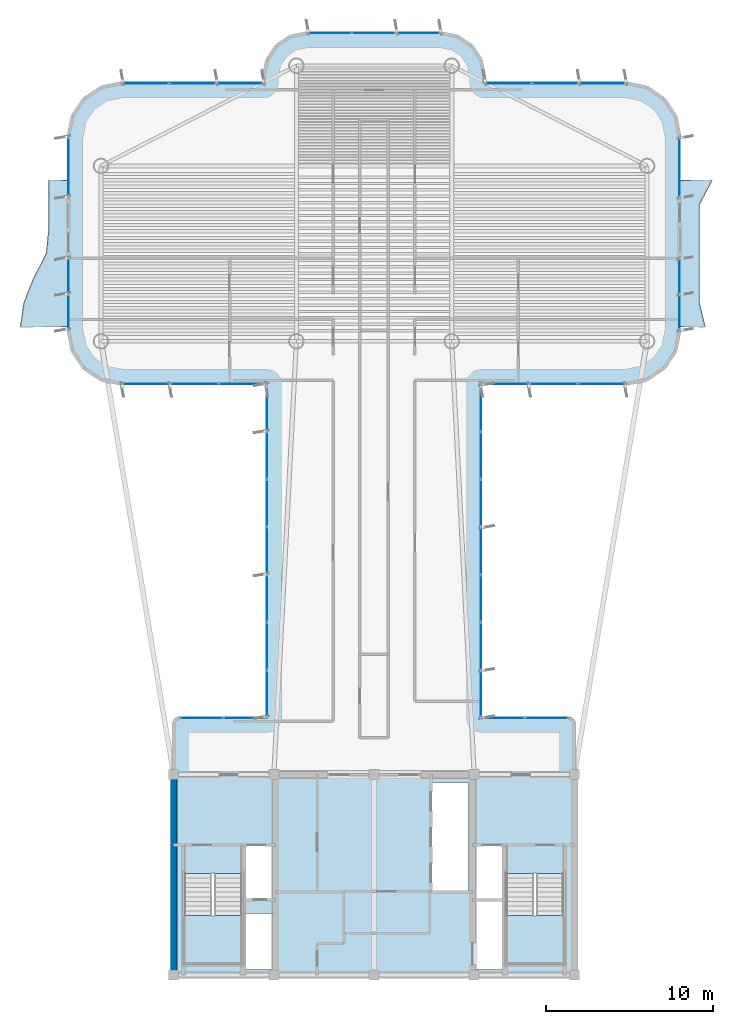
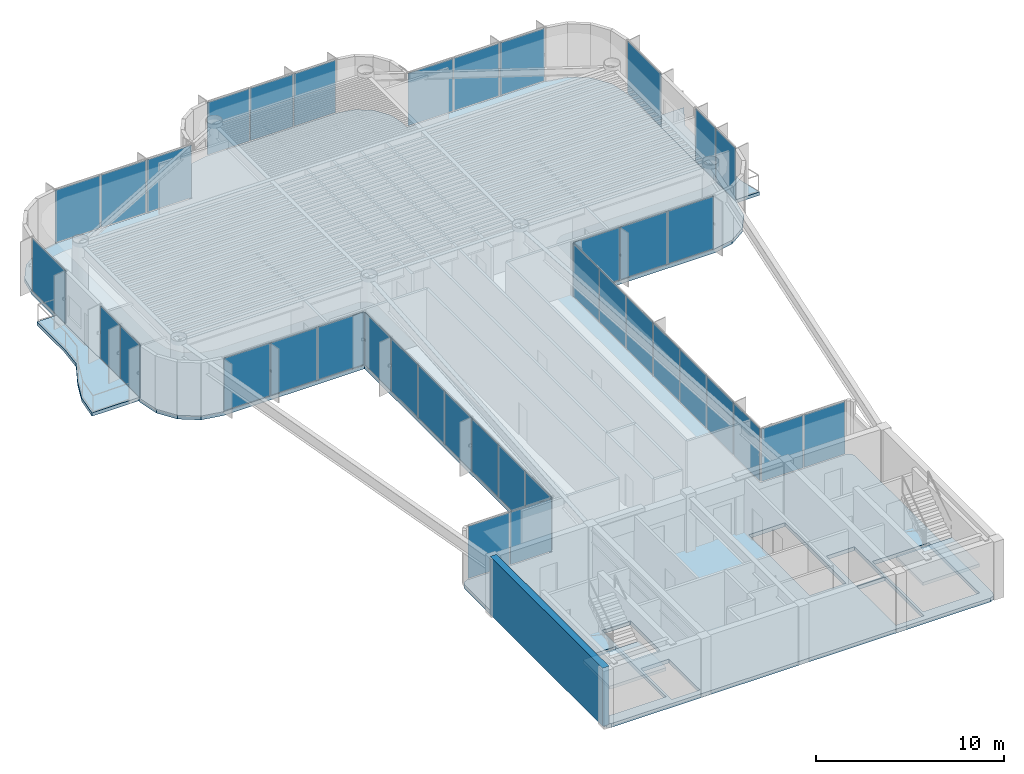
# One storey, part 9 of 15: 39 plates, 5 slabs, 1 wall, 15 elements without a shape of their own.
"""IFC4 building model written with IfcOpenShell, lengths in metres."""

from ifc_helpers import new_model, si_unit, direction, frame, frame_2d, origin, origin_2d, place, context, subcontext, project, spatial, polyline, rectangle, outline, extrude, source, transform, mapped, material, layer, layer_set, type_object, element, aggregate, save


model = new_model("IFC4")

# Units and contexts
model_context = context("Model", 3, precision=1e-05, world=origin(), true_north=direction((0.0, 1.0)))
body_context = subcontext(model_context, "Body", "Model", "MODEL_VIEW")
ifc_project = project(units=[si_unit("LENGTHUNIT", "METRE"), si_unit("AREAUNIT", "SQUARE_METRE"), si_unit("VOLUMEUNIT", "CUBIC_METRE"), si_unit("PLANEANGLEUNIT", "RADIAN"), si_unit("MASSUNIT", "GRAM", prefix="KILO")], contexts=[model_context])

# Site, building, storey
site_placement = place(None, origin())
site = spatial("IfcSite", under=ifc_project, at=site_placement, CompositionType="ELEMENT")
building_placement = place(site_placement, origin())
building = spatial("IfcBuilding", under=site, at=building_placement, Name="Brelvock Crest Care Tower", CompositionType="ELEMENT")
storey_placement = place(building_placement, frame((0.0, 0.0, 249.47998046875)))
storey = spatial("IfcBuildingStorey", under=building, at=storey_placement, Name="L63", CompositionType="ELEMENT", Elevation=249.47998046875)

# Slabs
ifc_material_1 = material(Name="Concrete N50 (50 MPa)", Category="concrete")
ifc_layer_1 = layer(ifc_material_1, 0.22998046875, Name="SLB-FL4")
ifc_layer_set_1 = layer_set([ifc_layer_1], Name="Concrete N50 (50 MPa)")
slab_type_1 = type_object("IfcSlabType", Name="SLB-FL4", PredefinedType="FLOOR", material=ifc_layer_set_1)
slab_1_placement = place(storey_placement, frame((0.0, 0.0, -0.25)))
element("IfcSlab", 1, at=slab_1_placement, inside=storey, type_object=slab_type_1, Name="L63 Main Structural Slab", PredefinedType="FLOOR", context=body_context, shape_type="SweptSolid", body=[
    extrude(outline(polyline([(47.64990234375, 21.39990234375), (42.39990234375, 21.39990234375), (42.39990234375, 41.39990234375), (51.10009765625, 41.39990234375), (52.32470703125, 41.6435546875), (53.36279296875, 42.33740234375), (54.056396484375, 43.37548828125), (54.300048828125, 44.60009765625), (54.300048828125, 56.199951171875), (54.056396484375, 57.424560546875), (53.36279296875, 58.462646484375), (52.32470703125, 59.156494140625), (51.10009765625, 59.39990234375), (42.60009765625, 59.39990234375), (42.60009765625, 59.800048828125), (42.402099609375, 60.794921875), (41.83837890625, 61.638427734375), (40.9951171875, 62.2021484375), (40.0, 62.39990234375), (32.0, 62.39990234375), (31.0048828125, 62.2021484375), (30.16162109375, 61.638427734375), (29.597900390625, 60.794921875), (29.39990234375, 59.800048828125), (29.39990234375, 59.39990234375), (20.89990234375, 59.39990234375), (19.67529296875, 59.156494140625), (18.63720703125, 58.462646484375), (17.943603515625, 57.424560546875), (17.699951171875, 56.199951171875), (17.699951171875, 44.60009765625), (17.943603515625, 43.37548828125), (18.63720703125, 42.33740234375), (19.67529296875, 41.6435546875), (20.89990234375, 41.39990234375), (29.60009765625, 41.39990234375), (29.60009765625, 21.39990234375), (24.35009765625, 21.39990234375), (24.1025390625, 21.297607421875), (24.0, 21.050048828125), (24.0, 6.35009765625), (24.1025390625, 6.1025390625), (24.35009765625, 6.0), (47.64990234375, 6.0), (47.8974609375, 6.1025390625), (48.0, 6.35009765625), (48.0, 21.050048828125), (47.8974609375, 21.297607421875), (47.64990234375, 21.39990234375)]), holes=[polyline([(28.239990234375, 10.580078125), (29.97998046875, 10.580078125), (29.97998046875, 13.739990234375), (28.239990234375, 13.739990234375), (28.239990234375, 10.580078125)]), polyline([(42.02001953125, 10.580078125), (43.760009765625, 10.580078125), (43.760009765625, 13.739990234375), (42.02001953125, 13.739990234375), (42.02001953125, 10.580078125)]), polyline([(28.239990234375, 6.340087890625), (29.97998046875, 6.340087890625), (29.97998046875, 9.64990234375), (28.239990234375, 9.64990234375), (28.239990234375, 6.340087890625)]), polyline([(24.6298828125, 12.080078125), (24.6298828125, 6.699951171875), (28.110107421875, 6.699951171875), (28.110107421875, 12.080078125), (24.6298828125, 12.080078125)]), polyline([(43.889892578125, 12.080078125), (43.889892578125, 6.699951171875), (47.3701171875, 6.699951171875), (47.3701171875, 12.080078125), (43.889892578125, 12.080078125)]), polyline([(42.02001953125, 6.340087890625), (43.760009765625, 6.340087890625), (43.760009765625, 10.5), (42.02001953125, 10.5), (42.02001953125, 6.340087890625)]), polyline([(39.429931640625, 11.030029296875), (41.669921875, 11.030029296875), (41.669921875, 17.52001953125), (39.429931640625, 17.52001953125), (39.429931640625, 11.030029296875)])]), origin(), (0.0, 0.0, 1.0), 0.25),
])
ifc_layer_2 = layer(ifc_material_1, 0.219970703125, Name="SLB-WB1")
ifc_layer_set_2 = layer_set([ifc_layer_2], Name="Concrete N50 (50 MPa)")
slab_type_2 = type_object("IfcSlabType", Name="SLB-WB1", PredefinedType="FLOOR", material=ifc_layer_set_2)
slab_2_placement = place(storey_placement, frame((0.0, 0.0, -0.219970703125)))
element("IfcSlab", 2, at=slab_2_placement, inside=storey, type_object=slab_type_2, Name="L63 W Sinusoidal Wave Balcony Slab", PredefinedType="FLOOR", context=body_context, shape_type="SweptSolid", body=[
    extrude(outline(polyline([(17.699951171875, 53.60009765625), (16.5, 53.60009765625), (16.5, 52.13330078125), (16.5, 50.666748046875), (16.361083984375, 49.199951171875), (15.600830078125, 47.7333984375), (15.017822265625, 46.2666015625), (14.800048828125, 44.800048828125), (17.699951171875, 44.800048828125), (17.699951171875, 53.60009765625)])), origin(), (0.0, 0.0, 1.0), 0.219970703125),
])
slab_3_placement = place(storey_placement, frame((0.0, 0.0, -0.219970703125)))
element("IfcSlab", 3, at=slab_3_placement, inside=storey, type_object=slab_type_2, Name="L63 E Sinusoidal Wave Balcony Slab", PredefinedType="FLOOR", context=body_context, shape_type="SweptSolid", body=[
    extrude(outline(polyline([(54.300048828125, 44.800048828125), (55.85009765625, 44.800048828125), (55.5, 46.2666015625), (55.5, 47.7333984375), (55.5, 49.199951171875), (55.5, 50.666748046875), (55.50048828125, 52.13330078125), (56.26708984375, 53.60009765625), (54.300048828125, 53.60009765625), (54.300048828125, 44.800048828125)])), origin(), (0.0, 0.0, 1.0), 0.219970703125),
])

# Stair, slab
ifc_material_2 = material(Name="Concrete N40 (40 MPa)", Category="concrete")
stair_type = type_object("IfcStairType", Name="ST-CORE1", PredefinedType="HALF_TURN_STAIR", material=ifc_material_2)
stair_1_placement = place(storey_placement, origin())
stair_1 = element("IfcStair", 4, at=stair_1_placement, inside=storey, type_object=stair_type, Name="L63 Fire-Isolated Core Stair ST-1", PredefinedType="HALF_TURN_STAIR")
ifc_layer_3 = layer(ifc_material_2, 0.199951171875, Name="STL-1")
ifc_layer_set_3 = layer_set([ifc_layer_3], Name="Concrete N40 (40 MPa)")
slab_type_3 = type_object("IfcSlabType", Name="STL-1", PredefinedType="LANDING", material=ifc_layer_set_3)
slab_4_placement = place(storey_placement, frame((0.0, 0.0, 1.68994140625)))
slab_4 = element("IfcSlab", 5, at=slab_4_placement, type_object=slab_type_3, Name="ST-1 landing 1", PredefinedType="LANDING", context=body_context, shape_type="SweptSolid", body=[
    extrude(outline(polyline([(24.6298828125, 9.56005859375), (24.6298828125, 6.699951171875), (28.110107421875, 6.699951171875), (28.110107421875, 9.56005859375), (24.6298828125, 9.56005859375)])), origin(), (0.0, 0.0, 1.0), 0.2001953125),
])
aggregate(stair_1, [slab_4])

stair_2_placement = place(storey_placement, origin())
stair_2 = element("IfcStair", 6, at=stair_2_placement, inside=storey, type_object=stair_type, Name="L63 Fire-Isolated Core Stair ST-2", PredefinedType="HALF_TURN_STAIR")
slab_5_placement = place(storey_placement, frame((0.0, 0.0, 1.68994140625)))
slab_5 = element("IfcSlab", 7, at=slab_5_placement, type_object=slab_type_3, Name="ST-2 landing 1", PredefinedType="LANDING", context=body_context, shape_type="SweptSolid", body=[
    extrude(outline(polyline([(43.889892578125, 9.56005859375), (43.889892578125, 6.699951171875), (47.3701171875, 6.699951171875), (47.3701171875, 9.56005859375), (43.889892578125, 9.56005859375)])), origin(), (0.0, 0.0, 1.0), 0.2001953125),
])
aggregate(stair_2, [slab_5])

# Curtain wall, plates
ifc_material_3 = material(Name="Dark Glass Double Glazed Low-E", Category="glass")
ifc_layer_4 = layer(ifc_material_3, 0.239990234375, Name="CWS-5")
ifc_layer_set_4 = layer_set([ifc_layer_4], Name="Dark Glass Double Glazed Low-E")
curtain_wall_type = type_object("IfcCurtainWallType", Name="CWS-5", PredefinedType="NOTDEFINED", material=ifc_layer_set_4)
curtain_wall_1_placement = place(storey_placement, origin())
curtain_wall_1 = element("IfcCurtainWall", 8, at=curtain_wall_1_placement, inside=storey, type_object=curtain_wall_type, Name="L63 Curtain Wall E10", PredefinedType="NOTDEFINED")
ifc_layer_5 = layer(ifc_material_3, 0.0380859375, Name="CWP-V2")
ifc_layer_set_5 = layer_set([ifc_layer_5], Name="Dark Glass Double Glazed Low-E")
plate_type = type_object("IfcPlateType", Name="CWP-V2", PredefinedType="CURTAIN_PANEL", material=ifc_layer_set_5)
shared_shape_1 = source(origin(), body_context, "Body", "SweptSolid", [
    extrude(rectangle(XDim=2.534912109375, YDim=0.035888671875, at=origin_2d()), origin(), (0.0, 0.0, 1.0), 3.409912109375),
])
plate_1_placement = place(storey_placement, frame((25.677490234375, 21.39990234375, 0.06005859375), z_axis=(0.0, 0.0, 1.0), x_axis=(1.0, 0.0, 0.0)))
plate_1 = element("IfcPlate", 9, at=plate_1_placement, type_object=plate_type, Name="CW-5 panel 1.1", PredefinedType="CURTAIN_PANEL", context=body_context, shape_type="MappedRepresentation", body=[
    mapped(shared_shape_1, transform((0.0, 0.0, 0.0), x_axis=(1.0, 0.0, 0.0), y_axis=(0.0, 1.0, 0.0), z_axis=(0.0, 0.0, 1.0), scale=1.0)),
])
plate_2_placement = place(storey_placement, frame((28.2724609375, 21.39990234375, 0.06005859375), z_axis=(0.0, 0.0, 1.0), x_axis=(1.0, 0.0, 0.0)))
plate_2 = element("IfcPlate", 10, at=plate_2_placement, type_object=plate_type, Name="CW-5 panel 2.1", PredefinedType="CURTAIN_PANEL", context=body_context, shape_type="MappedRepresentation", body=[
    mapped(shared_shape_1, transform((0.0, 0.0, 0.0), x_axis=(1.0, 0.0, 0.0), y_axis=(0.0, 1.0, 0.0), z_axis=(0.0, 0.0, 1.0), scale=1.0)),
])
aggregate(curtain_wall_1, [plate_1, plate_2])

curtain_wall_2_placement = place(storey_placement, origin())
curtain_wall_2 = element("IfcCurtainWall", 11, at=curtain_wall_2_placement, inside=storey, type_object=curtain_wall_type, Name="L63 Curtain Wall E46", PredefinedType="NOTDEFINED")
plate_3_placement = place(storey_placement, frame((43.7275390625, 21.39990234375, 0.06005859375), z_axis=(0.0, 0.0, 1.0), x_axis=(1.0, 0.0, 0.0)))
plate_3 = element("IfcPlate", 12, at=plate_3_placement, type_object=plate_type, Name="CW-5 panel 1.1", PredefinedType="CURTAIN_PANEL", context=body_context, shape_type="MappedRepresentation", body=[
    mapped(shared_shape_1, transform((0.0, 0.0, 0.0), x_axis=(1.0, 0.0, 0.0), y_axis=(0.0, 1.0, 0.0), z_axis=(0.0, 0.0, 1.0), scale=1.0)),
])
plate_4_placement = place(storey_placement, frame((46.322509765625, 21.39990234375, 0.06005859375), z_axis=(0.0, 0.0, 1.0), x_axis=(1.0, 0.0, 0.0)))
plate_4 = element("IfcPlate", 13, at=plate_4_placement, type_object=plate_type, Name="CW-5 panel 2.1", PredefinedType="CURTAIN_PANEL", context=body_context, shape_type="MappedRepresentation", body=[
    mapped(shared_shape_1, transform((0.0, 0.0, 0.0), x_axis=(1.0, 0.0, 0.0), y_axis=(0.0, 1.0, 0.0), z_axis=(0.0, 0.0, 1.0), scale=1.0)),
])
aggregate(curtain_wall_2, [plate_3, plate_4])

curtain_wall_3_placement = place(storey_placement, origin())
curtain_wall_3 = element("IfcCurtainWall", 14, at=curtain_wall_3_placement, inside=storey, type_object=curtain_wall_type, Name="L63 Curtain Wall E11", PredefinedType="NOTDEFINED")
shared_shape_2 = source(origin(), body_context, "Body", "SweptSolid", [
    extrude(rectangle(XDim=2.76708984375, YDim=0.035888671875, at=origin_2d()), origin(), (0.0, 0.0, 1.0), 3.409912109375),
])
plate_5_placement = place(storey_placement, frame((29.60009765625, 22.843505859375, 0.06005859375), z_axis=(0.0, 0.0, 1.0), x_axis=(0.0, 1.0, 0.0)))
plate_5 = element("IfcPlate", 15, at=plate_5_placement, type_object=plate_type, Name="CW-5 panel 1.1", PredefinedType="CURTAIN_PANEL", context=body_context, shape_type="MappedRepresentation", body=[
    mapped(shared_shape_2, transform((0.0, 0.0, 0.0), x_axis=(1.0, 0.0, 0.0), y_axis=(0.0, 1.0, 0.0), z_axis=(0.0, 0.0, 1.0), scale=1.0)),
])
plate_6_placement = place(storey_placement, frame((29.60009765625, 39.95654296875, 0.06005859375), z_axis=(0.0, 0.0, 1.0), x_axis=(0.0, 1.0, 0.0)))
plate_6 = element("IfcPlate", 16, at=plate_6_placement, type_object=plate_type, Name="CW-5 panel 7.1", PredefinedType="CURTAIN_PANEL", context=body_context, shape_type="MappedRepresentation", body=[
    mapped(shared_shape_2, transform((0.0, 0.0, 0.0), x_axis=(1.0, 0.0, 0.0), y_axis=(0.0, 1.0, 0.0), z_axis=(0.0, 0.0, 1.0), scale=1.0)),
])

curtain_wall_4_placement = place(storey_placement, origin())
curtain_wall_4 = element("IfcCurtainWall", 17, at=curtain_wall_4_placement, inside=storey, type_object=curtain_wall_type, Name="L63 Curtain Wall E45", PredefinedType="NOTDEFINED")
plate_7_placement = place(storey_placement, frame((42.39990234375, 39.95654296875, 0.06005859375), z_axis=(0.0, 0.0, 1.0), x_axis=(0.0, -1.0, 0.0)))
plate_7 = element("IfcPlate", 18, at=plate_7_placement, type_object=plate_type, Name="CW-5 panel 1.1", PredefinedType="CURTAIN_PANEL", context=body_context, shape_type="MappedRepresentation", body=[
    mapped(shared_shape_2, transform((0.0, 0.0, 0.0), x_axis=(1.0, 0.0, 0.0), y_axis=(0.0, 1.0, 0.0), z_axis=(0.0, 0.0, 1.0), scale=1.0)),
])
plate_8_placement = place(storey_placement, frame((42.39990234375, 22.843505859375, 0.06005859375), z_axis=(0.0, 0.0, 1.0), x_axis=(0.0, -1.0, 0.0)))
plate_8 = element("IfcPlate", 19, at=plate_8_placement, type_object=plate_type, Name="CW-5 panel 7.1", PredefinedType="CURTAIN_PANEL", context=body_context, shape_type="MappedRepresentation", body=[
    mapped(shared_shape_2, transform((0.0, 0.0, 0.0), x_axis=(1.0, 0.0, 0.0), y_axis=(0.0, 1.0, 0.0), z_axis=(0.0, 0.0, 1.0), scale=1.0)),
])

# Plate
shared_shape_3 = source(origin(), body_context, "Body", "SweptSolid", [
    extrude(rectangle(XDim=2.797119140625, YDim=0.035888671875, at=origin_2d()), origin(), (0.0, 0.0, 1.0), 3.409912109375),
])
plate_9_placement = place(storey_placement, frame((29.60009765625, 25.685791015625, 0.06005859375), z_axis=(0.0, 0.0, 1.0), x_axis=(0.0, 1.0, 0.0)))
plate_9 = element("IfcPlate", 20, at=plate_9_placement, type_object=plate_type, Name="CW-5 panel 2.1", PredefinedType="CURTAIN_PANEL", context=body_context, shape_type="MappedRepresentation", body=[
    mapped(shared_shape_3, transform((0.0, 0.0, 0.0), x_axis=(1.0, 0.0, 0.0), y_axis=(0.0, 1.0, 0.0), z_axis=(0.0, 0.0, 1.0), scale=1.0)),
])

plate_10_placement = place(storey_placement, frame((29.60009765625, 28.54296875, 0.06005859375), z_axis=(0.0, 0.0, 1.0), x_axis=(0.0, 1.0, 0.0)))
plate_10 = element("IfcPlate", 21, at=plate_10_placement, type_object=plate_type, Name="CW-5 panel 3.1", PredefinedType="CURTAIN_PANEL", context=body_context, shape_type="MappedRepresentation", body=[
    mapped(shared_shape_3, transform((0.0, 0.0, 0.0), x_axis=(1.0, 0.0, 0.0), y_axis=(0.0, 1.0, 0.0), z_axis=(0.0, 0.0, 1.0), scale=1.0)),
])

plate_11_placement = place(storey_placement, frame((29.60009765625, 31.39990234375, 0.06005859375), z_axis=(0.0, 0.0, 1.0), x_axis=(0.0, 1.0, 0.0)))
plate_11 = element("IfcPlate", 22, at=plate_11_placement, type_object=plate_type, Name="CW-5 panel 4.1", PredefinedType="CURTAIN_PANEL", context=body_context, shape_type="MappedRepresentation", body=[
    mapped(shared_shape_3, transform((0.0, 0.0, 0.0), x_axis=(1.0, 0.0, 0.0), y_axis=(0.0, 1.0, 0.0), z_axis=(0.0, 0.0, 1.0), scale=1.0)),
])

plate_12_placement = place(storey_placement, frame((29.60009765625, 34.257080078125, 0.06005859375), z_axis=(0.0, 0.0, 1.0), x_axis=(0.0, 1.0, 0.0)))
plate_12 = element("IfcPlate", 23, at=plate_12_placement, type_object=plate_type, Name="CW-5 panel 5.1", PredefinedType="CURTAIN_PANEL", context=body_context, shape_type="MappedRepresentation", body=[
    mapped(shared_shape_3, transform((0.0, 0.0, 0.0), x_axis=(1.0, 0.0, 0.0), y_axis=(0.0, 1.0, 0.0), z_axis=(0.0, 0.0, 1.0), scale=1.0)),
])

plate_13_placement = place(storey_placement, frame((29.60009765625, 37.1142578125, 0.06005859375), z_axis=(0.0, 0.0, 1.0), x_axis=(0.0, 1.0, 0.0)))
plate_13 = element("IfcPlate", 24, at=plate_13_placement, type_object=plate_type, Name="CW-5 panel 6.1", PredefinedType="CURTAIN_PANEL", context=body_context, shape_type="MappedRepresentation", body=[
    mapped(shared_shape_3, transform((0.0, 0.0, 0.0), x_axis=(1.0, 0.0, 0.0), y_axis=(0.0, 1.0, 0.0), z_axis=(0.0, 0.0, 1.0), scale=1.0)),
])

aggregate(curtain_wall_3, [plate_5, plate_9, plate_10, plate_11, plate_12, plate_13, plate_6])

plate_14_placement = place(storey_placement, frame((42.39990234375, 37.1142578125, 0.06005859375), z_axis=(0.0, 0.0, 1.0), x_axis=(0.0, -1.0, 0.0)))
plate_14 = element("IfcPlate", 25, at=plate_14_placement, type_object=plate_type, Name="CW-5 panel 2.1", PredefinedType="CURTAIN_PANEL", context=body_context, shape_type="MappedRepresentation", body=[
    mapped(shared_shape_3, transform((0.0, 0.0, 0.0), x_axis=(1.0, 0.0, 0.0), y_axis=(0.0, 1.0, 0.0), z_axis=(0.0, 0.0, 1.0), scale=1.0)),
])

plate_15_placement = place(storey_placement, frame((42.39990234375, 34.257080078125, 0.06005859375), z_axis=(0.0, 0.0, 1.0), x_axis=(0.0, -1.0, 0.0)))
plate_15 = element("IfcPlate", 26, at=plate_15_placement, type_object=plate_type, Name="CW-5 panel 3.1", PredefinedType="CURTAIN_PANEL", context=body_context, shape_type="MappedRepresentation", body=[
    mapped(shared_shape_3, transform((0.0, 0.0, 0.0), x_axis=(1.0, 0.0, 0.0), y_axis=(0.0, 1.0, 0.0), z_axis=(0.0, 0.0, 1.0), scale=1.0)),
])

plate_16_placement = place(storey_placement, frame((42.39990234375, 31.39990234375, 0.06005859375), z_axis=(0.0, 0.0, 1.0), x_axis=(0.0, -1.0, 0.0)))
plate_16 = element("IfcPlate", 27, at=plate_16_placement, type_object=plate_type, Name="CW-5 panel 4.1", PredefinedType="CURTAIN_PANEL", context=body_context, shape_type="MappedRepresentation", body=[
    mapped(shared_shape_3, transform((0.0, 0.0, 0.0), x_axis=(1.0, 0.0, 0.0), y_axis=(0.0, 1.0, 0.0), z_axis=(0.0, 0.0, 1.0), scale=1.0)),
])

plate_17_placement = place(storey_placement, frame((42.39990234375, 28.54296875, 0.06005859375), z_axis=(0.0, 0.0, 1.0), x_axis=(0.0, -1.0, 0.0)))
plate_17 = element("IfcPlate", 28, at=plate_17_placement, type_object=plate_type, Name="CW-5 panel 5.1", PredefinedType="CURTAIN_PANEL", context=body_context, shape_type="MappedRepresentation", body=[
    mapped(shared_shape_3, transform((0.0, 0.0, 0.0), x_axis=(1.0, 0.0, 0.0), y_axis=(0.0, 1.0, 0.0), z_axis=(0.0, 0.0, 1.0), scale=1.0)),
])

plate_18_placement = place(storey_placement, frame((42.39990234375, 25.685791015625, 0.06005859375), z_axis=(0.0, 0.0, 1.0), x_axis=(0.0, -1.0, 0.0)))
plate_18 = element("IfcPlate", 29, at=plate_18_placement, type_object=plate_type, Name="CW-5 panel 6.1", PredefinedType="CURTAIN_PANEL", context=body_context, shape_type="MappedRepresentation", body=[
    mapped(shared_shape_3, transform((0.0, 0.0, 0.0), x_axis=(1.0, 0.0, 0.0), y_axis=(0.0, 1.0, 0.0), z_axis=(0.0, 0.0, 1.0), scale=1.0)),
])

aggregate(curtain_wall_4, [plate_7, plate_14, plate_15, plate_16, plate_17, plate_18, plate_8])

# Curtain wall, plates
curtain_wall_5_placement = place(storey_placement, origin())
curtain_wall_5 = element("IfcCurtainWall", 30, at=curtain_wall_5_placement, inside=storey, type_object=curtain_wall_type, Name="L63 Curtain Wall E12", PredefinedType="NOTDEFINED")
shared_shape_4 = source(origin(), body_context, "Body", "SweptSolid", [
    extrude(rectangle(XDim=2.81005859375, YDim=0.035888671875, at=origin_2d()), origin(), (0.0, 0.0, 1.0), 3.409912109375),
])
plate_19_placement = place(storey_placement, frame((28.135009765625, 41.39990234375, 0.06005859375), z_axis=(0.0, 0.0, 1.0), x_axis=(-1.0, 0.0, 0.0)))
plate_19 = element("IfcPlate", 31, at=plate_19_placement, type_object=plate_type, Name="CW-5 panel 1.1", PredefinedType="CURTAIN_PANEL", context=body_context, shape_type="MappedRepresentation", body=[
    mapped(shared_shape_4, transform((0.0, 0.0, 0.0), x_axis=(1.0, 0.0, 0.0), y_axis=(0.0, 1.0, 0.0), z_axis=(0.0, 0.0, 1.0), scale=1.0)),
])
plate_20_placement = place(storey_placement, frame((22.364990234375, 41.39990234375, 0.06005859375), z_axis=(0.0, 0.0, 1.0), x_axis=(-1.0, 0.0, 0.0)))
plate_20 = element("IfcPlate", 32, at=plate_20_placement, type_object=plate_type, Name="CW-5 panel 3.1", PredefinedType="CURTAIN_PANEL", context=body_context, shape_type="MappedRepresentation", body=[
    mapped(shared_shape_4, transform((0.0, 0.0, 0.0), x_axis=(1.0, 0.0, 0.0), y_axis=(0.0, 1.0, 0.0), z_axis=(0.0, 0.0, 1.0), scale=1.0)),
])

curtain_wall_6_placement = place(storey_placement, origin())
curtain_wall_6 = element("IfcCurtainWall", 33, at=curtain_wall_6_placement, inside=storey, type_object=curtain_wall_type, Name="L63 Curtain Wall E44", PredefinedType="NOTDEFINED")
plate_21_placement = place(storey_placement, frame((49.635009765625, 41.39990234375, 0.06005859375), z_axis=(0.0, 0.0, 1.0), x_axis=(-1.0, 0.0, 0.0)))
plate_21 = element("IfcPlate", 34, at=plate_21_placement, type_object=plate_type, Name="CW-5 panel 1.1", PredefinedType="CURTAIN_PANEL", context=body_context, shape_type="MappedRepresentation", body=[
    mapped(shared_shape_4, transform((0.0, 0.0, 0.0), x_axis=(1.0, 0.0, 0.0), y_axis=(0.0, 1.0, 0.0), z_axis=(0.0, 0.0, 1.0), scale=1.0)),
])
plate_22_placement = place(storey_placement, frame((43.864990234375, 41.39990234375, 0.06005859375), z_axis=(0.0, 0.0, 1.0), x_axis=(-1.0, 0.0, 0.0)))
plate_22 = element("IfcPlate", 35, at=plate_22_placement, type_object=plate_type, Name="CW-5 panel 3.1", PredefinedType="CURTAIN_PANEL", context=body_context, shape_type="MappedRepresentation", body=[
    mapped(shared_shape_4, transform((0.0, 0.0, 0.0), x_axis=(1.0, 0.0, 0.0), y_axis=(0.0, 1.0, 0.0), z_axis=(0.0, 0.0, 1.0), scale=1.0)),
])

# Plate
shared_shape_5 = source(origin(), body_context, "Body", "SweptSolid", [
    extrude(rectangle(XDim=2.840087890625, YDim=0.035888671875, at=origin_2d()), origin(), (0.0, 0.0, 1.0), 3.409912109375),
])
plate_23_placement = place(storey_placement, frame((25.25, 41.39990234375, 0.06005859375), z_axis=(0.0, 0.0, 1.0), x_axis=(-1.0, 0.0, 0.0)))
plate_23 = element("IfcPlate", 36, at=plate_23_placement, type_object=plate_type, Name="CW-5 panel 2.1", PredefinedType="CURTAIN_PANEL", context=body_context, shape_type="MappedRepresentation", body=[
    mapped(shared_shape_5, transform((0.0, 0.0, 0.0), x_axis=(1.0, 0.0, 0.0), y_axis=(0.0, 1.0, 0.0), z_axis=(0.0, 0.0, 1.0), scale=1.0)),
])

aggregate(curtain_wall_5, [plate_19, plate_23, plate_20])

plate_24_placement = place(storey_placement, frame((46.75, 41.39990234375, 0.06005859375), z_axis=(0.0, 0.0, 1.0), x_axis=(-1.0, 0.0, 0.0)))
plate_24 = element("IfcPlate", 37, at=plate_24_placement, type_object=plate_type, Name="CW-5 panel 2.1", PredefinedType="CURTAIN_PANEL", context=body_context, shape_type="MappedRepresentation", body=[
    mapped(shared_shape_5, transform((0.0, 0.0, 0.0), x_axis=(1.0, 0.0, 0.0), y_axis=(0.0, 1.0, 0.0), z_axis=(0.0, 0.0, 1.0), scale=1.0)),
])

aggregate(curtain_wall_6, [plate_21, plate_24, plate_22])

# Curtain wall, plates
curtain_wall_7_placement = place(storey_placement, origin())
curtain_wall_7 = element("IfcCurtainWall", 38, at=curtain_wall_7_placement, inside=storey, type_object=curtain_wall_type, Name="L63 Curtain Wall E22", PredefinedType="NOTDEFINED")
shared_shape_6 = source(origin(), body_context, "Body", "SweptSolid", [
    extrude(rectangle(XDim=2.743408203125, YDim=0.035888671875, at=origin_2d()), origin(), (0.0, 0.0, 1.0), 3.409912109375),
])
plate_25_placement = place(storey_placement, frame((22.331787109375, 59.39990234375, 0.06005859375), z_axis=(0.0, 0.0, 1.0), x_axis=(1.0, 0.0, 0.0)))
plate_25 = element("IfcPlate", 39, at=plate_25_placement, type_object=plate_type, Name="CW-5 panel 1.1", PredefinedType="CURTAIN_PANEL", context=body_context, shape_type="MappedRepresentation", body=[
    mapped(shared_shape_6, transform((0.0, 0.0, 0.0), x_axis=(1.0, 0.0, 0.0), y_axis=(0.0, 1.0, 0.0), z_axis=(0.0, 0.0, 1.0), scale=1.0)),
])
plate_26_placement = place(storey_placement, frame((27.96826171875, 59.39990234375, 0.06005859375), z_axis=(0.0, 0.0, 1.0), x_axis=(1.0, 0.0, 0.0)))
plate_26 = element("IfcPlate", 40, at=plate_26_placement, type_object=plate_type, Name="CW-5 panel 3.1", PredefinedType="CURTAIN_PANEL", context=body_context, shape_type="MappedRepresentation", body=[
    mapped(shared_shape_6, transform((0.0, 0.0, 0.0), x_axis=(1.0, 0.0, 0.0), y_axis=(0.0, 1.0, 0.0), z_axis=(0.0, 0.0, 1.0), scale=1.0)),
])

curtain_wall_8_placement = place(storey_placement, origin())
curtain_wall_8 = element("IfcCurtainWall", 41, at=curtain_wall_8_placement, inside=storey, type_object=curtain_wall_type, Name="L63 Curtain Wall E34", PredefinedType="NOTDEFINED")
plate_27_placement = place(storey_placement, frame((44.03173828125, 59.39990234375, 0.06005859375), z_axis=(0.0, 0.0, 1.0), x_axis=(1.0, 0.0, 0.0)))
plate_27 = element("IfcPlate", 42, at=plate_27_placement, type_object=plate_type, Name="CW-5 panel 1.1", PredefinedType="CURTAIN_PANEL", context=body_context, shape_type="MappedRepresentation", body=[
    mapped(shared_shape_6, transform((0.0, 0.0, 0.0), x_axis=(1.0, 0.0, 0.0), y_axis=(0.0, 1.0, 0.0), z_axis=(0.0, 0.0, 1.0), scale=1.0)),
])
plate_28_placement = place(storey_placement, frame((49.668212890625, 59.39990234375, 0.06005859375), z_axis=(0.0, 0.0, 1.0), x_axis=(1.0, 0.0, 0.0)))
plate_28 = element("IfcPlate", 43, at=plate_28_placement, type_object=plate_type, Name="CW-5 panel 3.1", PredefinedType="CURTAIN_PANEL", context=body_context, shape_type="MappedRepresentation", body=[
    mapped(shared_shape_6, transform((0.0, 0.0, 0.0), x_axis=(1.0, 0.0, 0.0), y_axis=(0.0, 1.0, 0.0), z_axis=(0.0, 0.0, 1.0), scale=1.0)),
])

# Plate
shared_shape_7 = source(origin(), body_context, "Body", "SweptSolid", [
    extrude(rectangle(XDim=2.7734375, YDim=0.035888671875, at=origin_2d()), origin(), (0.0, 0.0, 1.0), 3.409912109375),
])
plate_29_placement = place(storey_placement, frame((25.14990234375, 59.39990234375, 0.06005859375), z_axis=(0.0, 0.0, 1.0), x_axis=(1.0, 0.0, 0.0)))
plate_29 = element("IfcPlate", 44, at=plate_29_placement, type_object=plate_type, Name="CW-5 panel 2.1", PredefinedType="CURTAIN_PANEL", context=body_context, shape_type="MappedRepresentation", body=[
    mapped(shared_shape_7, transform((0.0, 0.0, 0.0), x_axis=(1.0, 0.0, 0.0), y_axis=(0.0, 1.0, 0.0), z_axis=(0.0, 0.0, 1.0), scale=1.0)),
])

aggregate(curtain_wall_7, [plate_25, plate_29, plate_26])

plate_30_placement = place(storey_placement, frame((46.85009765625, 59.39990234375, 0.06005859375), z_axis=(0.0, 0.0, 1.0), x_axis=(1.0, 0.0, 0.0)))
plate_30 = element("IfcPlate", 45, at=plate_30_placement, type_object=plate_type, Name="CW-5 panel 2.1", PredefinedType="CURTAIN_PANEL", context=body_context, shape_type="MappedRepresentation", body=[
    mapped(shared_shape_7, transform((0.0, 0.0, 0.0), x_axis=(1.0, 0.0, 0.0), y_axis=(0.0, 1.0, 0.0), z_axis=(0.0, 0.0, 1.0), scale=1.0)),
])

aggregate(curtain_wall_8, [plate_27, plate_30, plate_28])

# Curtain wall, plates
curtain_wall_9_placement = place(storey_placement, origin())
curtain_wall_9 = element("IfcCurtainWall", 46, at=curtain_wall_9_placement, inside=storey, type_object=curtain_wall_type, Name="L63 Curtain Wall E28", PredefinedType="NOTDEFINED")
shared_shape_8 = source(origin(), body_context, "Body", "SweptSolid", [
    extrude(rectangle(XDim=2.57666015625, YDim=0.035888671875, at=origin_2d()), origin(), (0.0, 0.0, 1.0), 3.409912109375),
])
plate_31_placement = place(storey_placement, frame((33.348388671875, 62.39990234375, 0.06005859375), z_axis=(0.0, 0.0, 1.0), x_axis=(1.0, 0.0, 0.0)))
plate_31 = element("IfcPlate", 47, at=plate_31_placement, type_object=plate_type, Name="CW-5 panel 1.1", PredefinedType="CURTAIN_PANEL", context=body_context, shape_type="MappedRepresentation", body=[
    mapped(shared_shape_8, transform((0.0, 0.0, 0.0), x_axis=(1.0, 0.0, 0.0), y_axis=(0.0, 1.0, 0.0), z_axis=(0.0, 0.0, 1.0), scale=1.0)),
])
plate_32_placement = place(storey_placement, frame((38.651611328125, 62.39990234375, 0.06005859375), z_axis=(0.0, 0.0, 1.0), x_axis=(1.0, 0.0, 0.0)))
plate_32 = element("IfcPlate", 48, at=plate_32_placement, type_object=plate_type, Name="CW-5 panel 3.1", PredefinedType="CURTAIN_PANEL", context=body_context, shape_type="MappedRepresentation", body=[
    mapped(shared_shape_8, transform((0.0, 0.0, 0.0), x_axis=(1.0, 0.0, 0.0), y_axis=(0.0, 1.0, 0.0), z_axis=(0.0, 0.0, 1.0), scale=1.0)),
])
shared_shape_9 = source(origin(), body_context, "Body", "SweptSolid", [
    extrude(rectangle(XDim=2.606689453125, YDim=0.035888671875, at=origin_2d()), origin(), (0.0, 0.0, 1.0), 3.409912109375),
])
plate_33_placement = place(storey_placement, frame((36.0, 62.39990234375, 0.06005859375), z_axis=(0.0, 0.0, 1.0), x_axis=(1.0, 0.0, 0.0)))
plate_33 = element("IfcPlate", 49, at=plate_33_placement, type_object=plate_type, Name="CW-5 panel 2.1", PredefinedType="CURTAIN_PANEL", context=body_context, shape_type="MappedRepresentation", body=[
    mapped(shared_shape_9, transform((0.0, 0.0, 0.0), x_axis=(1.0, 0.0, 0.0), y_axis=(0.0, 1.0, 0.0), z_axis=(0.0, 0.0, 1.0), scale=1.0)),
])
aggregate(curtain_wall_9, [plate_31, plate_33, plate_32])

curtain_wall_10_placement = place(storey_placement, origin())
curtain_wall_10 = element("IfcCurtainWall", 50, at=curtain_wall_10_placement, inside=storey, type_object=curtain_wall_type, Name="L63 Curtain Wall E17A", PredefinedType="NOTDEFINED")
shared_shape_10 = source(origin(), body_context, "Body", "SweptSolid", [
    extrude(rectangle(XDim=2.0849609375, YDim=0.035888671875, at=origin_2d()), origin(), (0.0, 0.0, 1.0), 3.409912109375),
])
plate_34_placement = place(storey_placement, frame((17.699951171875, 45.702392578125, 0.06005859375), z_axis=(0.0, 0.0, 1.0), x_axis=(0.0, 1.0, 0.0)))
plate_34 = element("IfcPlate", 51, at=plate_34_placement, type_object=plate_type, Name="CW-5 panel 1.1", PredefinedType="CURTAIN_PANEL", context=body_context, shape_type="MappedRepresentation", body=[
    mapped(shared_shape_10, transform((0.0, 0.0, 0.0), x_axis=(1.0, 0.0, 0.0), y_axis=(0.0, 1.0, 0.0), z_axis=(0.0, 0.0, 1.0), scale=1.0)),
])
plate_35_placement = place(storey_placement, frame((17.699951171875, 47.847412109375, 0.06005859375), z_axis=(0.0, 0.0, 1.0), x_axis=(0.0, 1.0, 0.0)))
plate_35 = element("IfcPlate", 52, at=plate_35_placement, type_object=plate_type, Name="CW-5 panel 2.1", PredefinedType="CURTAIN_PANEL", context=body_context, shape_type="MappedRepresentation", body=[
    mapped(shared_shape_10, transform((0.0, 0.0, 0.0), x_axis=(1.0, 0.0, 0.0), y_axis=(0.0, 1.0, 0.0), z_axis=(0.0, 0.0, 1.0), scale=1.0)),
])
aggregate(curtain_wall_10, [plate_34, plate_35])

curtain_wall_11_placement = place(storey_placement, origin())
curtain_wall_11 = element("IfcCurtainWall", 53, at=curtain_wall_11_placement, inside=storey, type_object=curtain_wall_type, Name="L63 Curtain Wall E39B", PredefinedType="NOTDEFINED")
plate_36_placement = place(storey_placement, frame((54.300048828125, 47.847412109375, 0.06005859375), z_axis=(0.0, 0.0, 1.0), x_axis=(0.0, -1.0, 0.0)))
plate_36 = element("IfcPlate", 54, at=plate_36_placement, type_object=plate_type, Name="CW-5 panel 1.1", PredefinedType="CURTAIN_PANEL", context=body_context, shape_type="MappedRepresentation", body=[
    mapped(shared_shape_10, transform((0.0, 0.0, 0.0), x_axis=(1.0, 0.0, 0.0), y_axis=(0.0, 1.0, 0.0), z_axis=(0.0, 0.0, 1.0), scale=1.0)),
])
plate_37_placement = place(storey_placement, frame((54.300048828125, 45.702392578125, 0.06005859375), z_axis=(0.0, 0.0, 1.0), x_axis=(0.0, -1.0, 0.0)))
plate_37 = element("IfcPlate", 55, at=plate_37_placement, type_object=plate_type, Name="CW-5 panel 2.1", PredefinedType="CURTAIN_PANEL", context=body_context, shape_type="MappedRepresentation", body=[
    mapped(shared_shape_10, transform((0.0, 0.0, 0.0), x_axis=(1.0, 0.0, 0.0), y_axis=(0.0, 1.0, 0.0), z_axis=(0.0, 0.0, 1.0), scale=1.0)),
])
aggregate(curtain_wall_11, [plate_36, plate_37])

# Curtain wall, plate
curtain_wall_12_placement = place(storey_placement, origin())
curtain_wall_12 = element("IfcCurtainWall", 56, at=curtain_wall_12_placement, inside=storey, type_object=curtain_wall_type, Name="L63 Curtain Wall E17B", PredefinedType="NOTDEFINED")
shared_shape_11 = source(origin(), body_context, "Body", "SweptSolid", [
    extrude(rectangle(XDim=3.530029296875, YDim=0.035888671875, at=origin_2d()), origin(), (0.0, 0.0, 1.0), 3.409912109375),
])
plate_38_placement = place(storey_placement, frame((17.699951171875, 54.375, 0.06005859375), z_axis=(0.0, 0.0, 1.0), x_axis=(0.0, 1.0, 0.0)))
plate_38 = element("IfcPlate", 57, at=plate_38_placement, type_object=plate_type, Name="CW-5 panel 1.1", PredefinedType="CURTAIN_PANEL", context=body_context, shape_type="MappedRepresentation", body=[
    mapped(shared_shape_11, transform((0.0, 0.0, 0.0), x_axis=(1.0, 0.0, 0.0), y_axis=(0.0, 1.0, 0.0), z_axis=(0.0, 0.0, 1.0), scale=1.0)),
])
aggregate(curtain_wall_12, [plate_38])

curtain_wall_13_placement = place(storey_placement, origin())
curtain_wall_13 = element("IfcCurtainWall", 58, at=curtain_wall_13_placement, inside=storey, type_object=curtain_wall_type, Name="L63 Curtain Wall E39A", PredefinedType="NOTDEFINED")
plate_39_placement = place(storey_placement, frame((54.300048828125, 54.375, 0.06005859375), z_axis=(0.0, 0.0, 1.0), x_axis=(0.0, -1.0, 0.0)))
plate_39 = element("IfcPlate", 59, at=plate_39_placement, type_object=plate_type, Name="CW-5 panel 1.1", PredefinedType="CURTAIN_PANEL", context=body_context, shape_type="MappedRepresentation", body=[
    mapped(shared_shape_11, transform((0.0, 0.0, 0.0), x_axis=(1.0, 0.0, 0.0), y_axis=(0.0, 1.0, 0.0), z_axis=(0.0, 0.0, 1.0), scale=1.0)),
])
aggregate(curtain_wall_13, [plate_39])

# Wall
ifc_material_4 = material(Name="Concrete S65 (65 MPa)", Category="concrete")
ifc_layer_6 = layer(ifc_material_4, 0.39990234375, Name="WL-CS4")
ifc_layer_set_6 = layer_set([ifc_layer_6], Name="Concrete S65 (65 MPa)")
wall_type = type_object("IfcWallType", Name="WL-CS4", PredefinedType="SHEAR", material=ifc_layer_set_6)
wall_placement = place(storey_placement, frame((24.0, 6.0, 0.0), z_axis=(0.0, 0.0, 1.0), x_axis=(0.0, 1.0, 0.0)))
element("IfcWall", 60, at=wall_placement, inside=storey, type_object=wall_type, Name="L63 Core West Shear Wall", PredefinedType="SHEAR", context=body_context, shape_type="SweptSolid", body=[
    extrude(rectangle(XDim=12.0, YDim=0.39990234375, at=frame_2d((6.0, 0.0))), origin(), (0.0, 0.0, 1.0), 3.780029296875),
])

save(model, "model.ifc")
